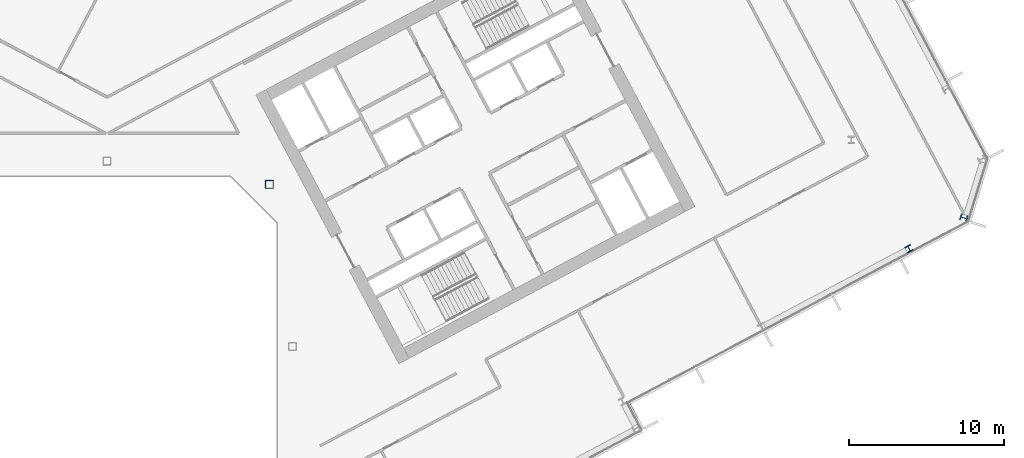
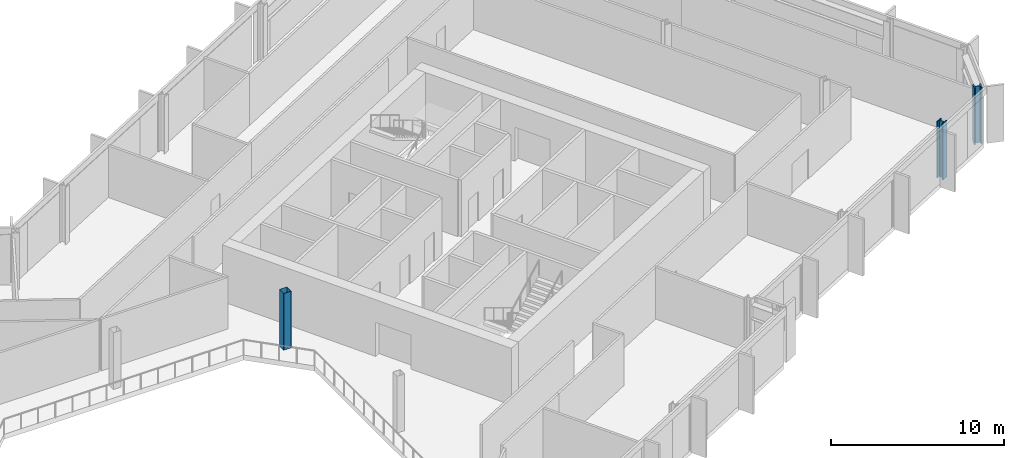
# One storey, part 6 of 28: 3 columns.
"""IFC4 building model written with IfcOpenShell, lengths in metres."""

from ifc_helpers import new_model, si_unit, direction, frame, origin, origin_2d, place, context, subcontext, project, spatial, hollow_rectangle, i_section, extrude, material, material_profile, profile_set, type_object, element, save


model = new_model("IFC4")

# Units and contexts
model_context = context("Model", 3, precision=1e-05, world=origin(), true_north=direction((0.0, 1.0)))
body_context = subcontext(model_context, "Body", "Model", "MODEL_VIEW")
ifc_project = project(units=[si_unit("LENGTHUNIT", "METRE"), si_unit("AREAUNIT", "SQUARE_METRE"), si_unit("VOLUMEUNIT", "CUBIC_METRE"), si_unit("PLANEANGLEUNIT", "RADIAN"), si_unit("MASSUNIT", "GRAM", prefix="KILO")], contexts=[model_context])

# Site, building, storey
site_placement = place(None, origin())
site = spatial("IfcSite", under=ifc_project, at=site_placement, CompositionType="ELEMENT")
building_placement = place(site_placement, origin())
building = spatial("IfcBuilding", under=site, at=building_placement, Name="Cormorant Relay Tower", CompositionType="ELEMENT")
storey_placement = place(building_placement, frame((0.0, 0.0, 130.199951171875)))
storey = spatial("IfcBuildingStorey", under=building, at=storey_placement, Name="L26", CompositionType="ELEMENT", Elevation=130.199951171875)

# Columns
ifc_material_1 = material(Name="Steel ASTM A500 Grade C (Fy 345 MPa)", Category="steel")
ifc_material_profile_1 = material_profile(ifc_material_1, hollow_rectangle(XDim=0.508056640625, YDim=0.508056640625, WallThickness=0.01171875, InnerFilletRadius=0.005859375, OuterFilletRadius=0.017822265625, at=origin_2d()), Name="HSS508x508x12")
ifc_profile_set_1 = profile_set([ifc_material_profile_1], Name="Steel ASTM A500 Grade C (Fy 345 MPa)")
column_type_1 = type_object("IfcColumnType", Name="Column HSS508x508x12", PredefinedType="COLUMN", material=ifc_profile_set_1)
column_1_placement = place(storey_placement, frame((10.5, 10.5, 0.0), z_axis=(0.0, 0.0, 1.0), x_axis=(1.0, 0.0, 0.0)))
element("IfcColumn", 1, at=column_1_placement, inside=storey, type_object=column_type_1, Name="Column L26-024", PredefinedType="COLUMN", context=body_context, shape_type="SweptSolid", body=[
    extrude(hollow_rectangle(XDim=0.508056640625, YDim=0.508056640625, WallThickness=0.01171875, InnerFilletRadius=0.005859375, OuterFilletRadius=0.017822265625, at=origin_2d()), origin(), (0.0, 0.0, 1.0), 4.0),
])
ifc_material_2 = material(Name="Steel ASTM A992 (Fy 345 MPa)", Category="steel")
ifc_material_profile_2 = material_profile(ifc_material_2, i_section(OverallWidth=0.41162109375, OverallDepth=0.434326171875, WebThickness=0.035888671875, FlangeThickness=0.057373046875, FilletRadius=0.01513671875, at=origin_2d()), Name="W360x463")
ifc_profile_set_2 = profile_set([ifc_material_profile_2], Name="Steel ASTM A992 (Fy 345 MPa)")
column_type_2 = type_object("IfcColumnType", Name="Column W360x463", PredefinedType="COLUMN", material=ifc_profile_set_2)
column_2_placement = place(storey_placement, frame((51.905029296875, 6.327880859375, 0.0), z_axis=(0.0, 0.0, 1.0), x_axis=(0.882947592859, 0.469471562786, 0.0)))
element("IfcColumn", 2, at=column_2_placement, inside=storey, type_object=column_type_2, Name="Column L26-020", PredefinedType="COLUMN", context=body_context, shape_type="SweptSolid", body=[
    extrude(i_section(OverallWidth=0.41162109375, OverallDepth=0.434326171875, WebThickness=0.035888671875, FlangeThickness=0.057373046875, FilletRadius=0.01513671875, at=origin_2d()), origin(), (0.0, 0.0, 1.0), 4.0),
])
ifc_material_3 = material(Name="Steel ASTM A992 (Fy 345 MPa)", Category="steel")
ifc_material_profile_3 = material_profile(ifc_material_3, i_section(OverallWidth=0.42431640625, OverallDepth=0.47509765625, WebThickness=0.0478515625, FlangeThickness=0.0771484375, FilletRadius=0.014892578125, at=origin_2d()), Name="W360x634")
ifc_profile_set_3 = profile_set([ifc_material_profile_3], Name="Steel ASTM A992 (Fy 345 MPa)")
column_type_3 = type_object("IfcColumnType", Name="Column W360x634", PredefinedType="COLUMN", material=ifc_profile_set_3)
column_3_placement = place(storey_placement, frame((55.446044921875, 8.3291015625, 0.0), z_axis=(0.0, 0.0, 1.0), x_axis=(0.292371704723, 0.956304755963, 0.0)))
element("IfcColumn", 3, at=column_3_placement, inside=storey, type_object=column_type_3, Name="Column L26-021", PredefinedType="COLUMN", context=body_context, shape_type="SweptSolid", body=[
    extrude(i_section(OverallWidth=0.42431640625, OverallDepth=0.47509765625, WebThickness=0.0478515625, FlangeThickness=0.0771484375, FilletRadius=0.014892578125, at=origin_2d()), origin(), (0.0, 0.0, 1.0), 4.0),
])

save(model, "model.ifc")
